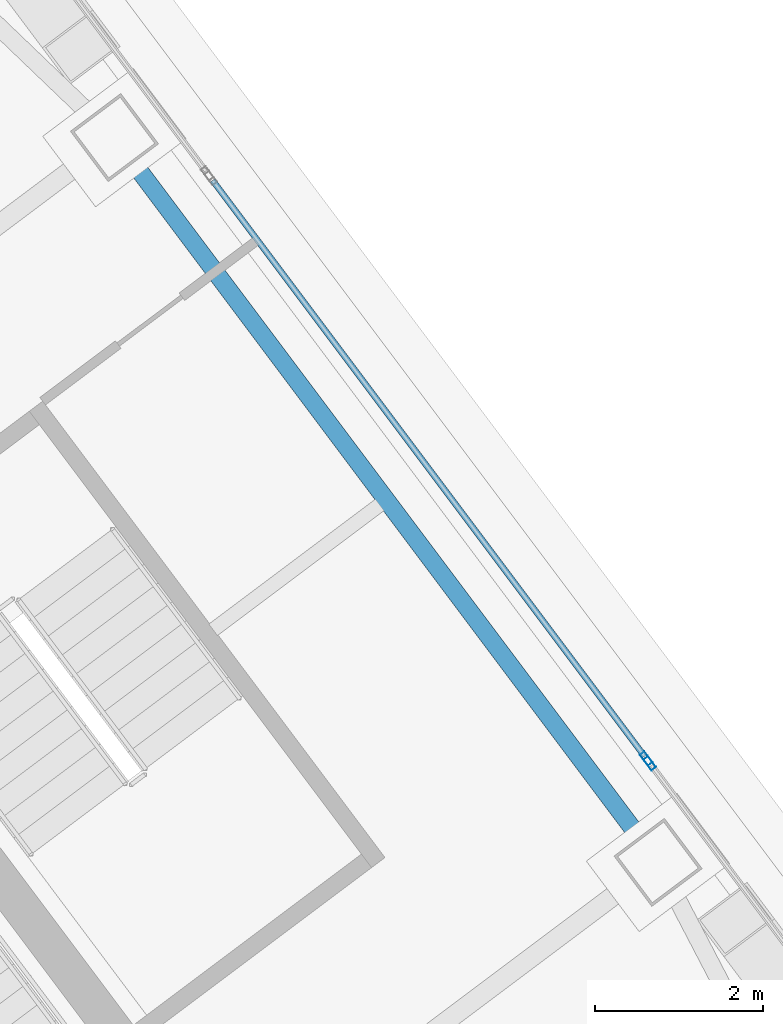
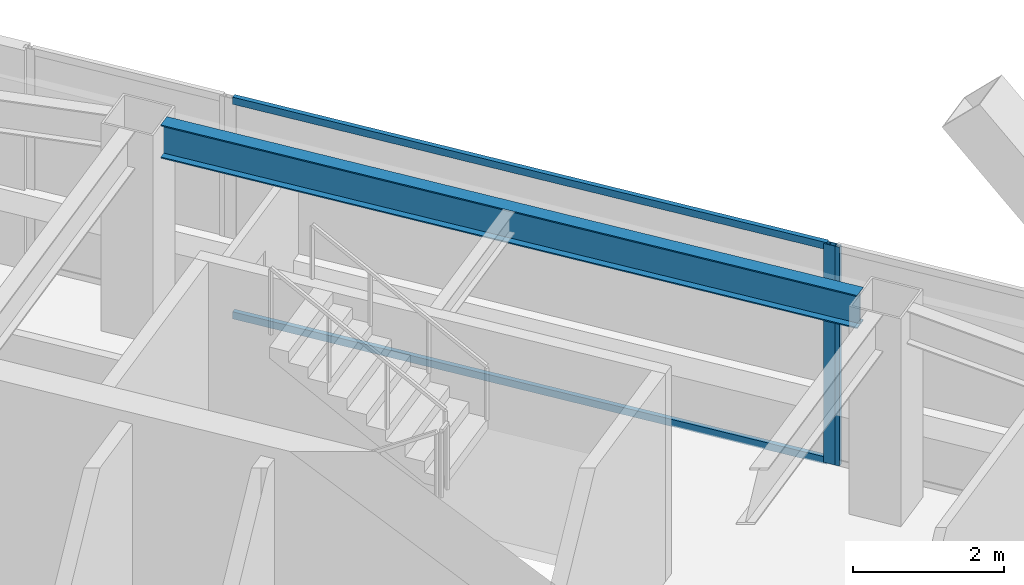
# One storey, part 25 of 39: 4 members, 1 beam, 2 elements without a shape of their own.
"""IFC4 building model written with IfcOpenShell, lengths in metres."""

from ifc_helpers import new_model, si_unit, direction, frame, origin, origin_2d, place, context, subcontext, project, spatial, hollow_rectangle, i_section, extrude, material, material_profile, profile_set, type_object, element, aggregate, save


model = new_model("IFC4")

# Units and contexts
model_context = context("Model", 3, precision=1e-05, world=origin(), true_north=direction((0.0, 1.0)))
body_context = subcontext(model_context, "Body", "Model", "MODEL_VIEW")
ifc_project = project(units=[si_unit("LENGTHUNIT", "METRE"), si_unit("AREAUNIT", "SQUARE_METRE"), si_unit("VOLUMEUNIT", "CUBIC_METRE"), si_unit("PLANEANGLEUNIT", "RADIAN"), si_unit("MASSUNIT", "GRAM", prefix="KILO")], contexts=[model_context])

# Site, building, storey
site_placement = place(None, origin())
site = spatial("IfcSite", under=ifc_project, at=site_placement, CompositionType="ELEMENT")
building_placement = place(site_placement, origin())
building = spatial("IfcBuilding", under=site, at=building_placement, Name="Tashvorn Skyway Center", CompositionType="ELEMENT")
storey_placement = place(building_placement, frame((0.0, 0.0, 232.60009765625)))
storey = spatial("IfcBuildingStorey", under=building, at=storey_placement, Name="L63", CompositionType="ELEMENT", Elevation=232.60009765625)

# Beam
ifc_material_1 = material(Name="Steel ASTM A992 Grade 50", Category="steel")
ifc_material_profile_1 = material_profile(ifc_material_1, i_section(OverallWidth=0.2109375, OverallDepth=0.5390625, WebThickness=0.01171875, FlangeThickness=0.018798828125, at=origin_2d()), Name="W21X73")
ifc_profile_set_1 = profile_set([ifc_material_profile_1], Name="Steel ASTM A992 Grade 50")
beam_type = type_object("IfcBeamType", Name="BM-SPANDREL-W21X73", PredefinedType="SPANDREL", material=ifc_profile_set_1)
beam_placement = place(storey_placement, frame((128.41796875, 36.52587890625, 3.100341796875), z_axis=(-0.599988351091, 0.800008736549, 0.0), x_axis=(-0.800008736549, -0.599988351091, 0.0)))
element("IfcBeam", 1, at=beam_placement, inside=storey, type_object=beam_type, Name="Tower 2 L63 Spandrel Beam 05", PredefinedType="SPANDREL", context=body_context, shape_type="SweptSolid", body=[
    extrude(i_section(OverallWidth=0.2109375, OverallDepth=0.5390625, WebThickness=0.01171875, FlangeThickness=0.018798828125, at=origin_2d()), origin(), (0.0, 0.0, 1.0), 10.06005859375),
])

# Curtain wall, member
ifc_material_2 = material(Name="Thermally broken bronze-anodized aluminium 6063-T6", Category="aluminium")
curtain_wall_type = type_object("IfcCurtainWallType", Name="CW-CW-Z5", PredefinedType="NOTDEFINED", material=ifc_material_2)
curtain_wall_1_placement = place(storey_placement, origin())
curtain_wall_1 = element("IfcCurtainWall", 2, at=curtain_wall_1_placement, inside=storey, type_object=curtain_wall_type, Name="Tower 2 L63 East Unitised Curtain Wall Glazing Group 2", PredefinedType="NOTDEFINED")
ifc_material_profile_2 = material_profile(ifc_material_2, hollow_rectangle(XDim=0.070068359375, YDim=0.1650390625, WallThickness=0.00390625, at=origin_2d()), Name="ALU-MULL-70x165")
ifc_profile_set_2 = profile_set([ifc_material_profile_2], Name="Thermally broken bronze-anodized aluminium 6063-T6")
member_type_1 = type_object("IfcMemberType", Name="CWM-CW-Z5", PredefinedType="MULLION", material=ifc_profile_set_2)
member_1_placement = place(storey_placement, frame((128.4990234375, 37.468017578125, 0.0), z_axis=(0.0, 0.0, 1.0), x_axis=(0.799999999998, 0.600000000002, 0.0)))
member_1 = element("IfcMember", 3, at=member_1_placement, type_object=member_type_1, Name="CW-Z5 mullion 2", PredefinedType="MULLION", context=body_context, shape_type="SweptSolid", body=[
    extrude(hollow_rectangle(XDim=0.070068359375, YDim=0.1650390625, WallThickness=0.00390625, at=origin_2d()), origin(), (0.0, 0.0, 1.0), 3.5498046875),
])

curtain_wall_2_placement = place(storey_placement, origin())
curtain_wall_2 = element("IfcCurtainWall", 4, at=curtain_wall_2_placement, inside=storey, type_object=curtain_wall_type, Name="Tower 2 L63 East Unitised Curtain Wall Glazing Group 3", PredefinedType="NOTDEFINED")
member_2_placement = place(storey_placement, frame((128.541015625, 37.412109375, 0.0), z_axis=(0.0, 0.0, 1.0), x_axis=(0.799995871508, 0.600005504617, 0.0)))
member_2 = element("IfcMember", 5, at=member_2_placement, type_object=member_type_1, Name="CW-Z5 mullion 1", PredefinedType="MULLION", context=body_context, shape_type="SweptSolid", body=[
    extrude(hollow_rectangle(XDim=0.070068359375, YDim=0.1650390625, WallThickness=0.00390625, at=origin_2d()), origin(), (0.0, 0.0, 1.0), 3.5498046875),
])
aggregate(curtain_wall_2, [member_2])

# Member
ifc_material_profile_3 = material_profile(ifc_material_2, hollow_rectangle(XDim=0.070068359375, YDim=0.114990234375, WallThickness=0.00390625, at=origin_2d()), Name="ALU-TRAN-70x115")
ifc_profile_set_3 = profile_set([ifc_material_profile_3], Name="Thermally broken bronze-anodized aluminium 6063-T6")
member_type_2 = type_object("IfcMemberType", Name="CWT-CW-Z5", PredefinedType="USERDEFINED", material=ifc_profile_set_3)
member_3_placement = place(storey_placement, frame((123.330078125, 44.360107421875, 0.034912109375), z_axis=(0.599995447241, -0.800003414549, 0.0), x_axis=(0.800003414549, 0.599995447241, 0.0)))
member_3 = element("IfcMember", 6, at=member_3_placement, type_object=member_type_2, Name="CW-Z5 transom 1.1", ObjectType="TRANSOM", PredefinedType="USERDEFINED", context=body_context, shape_type="SweptSolid", body=[
    extrude(hollow_rectangle(XDim=0.070068359375, YDim=0.114990234375, WallThickness=0.00390625, at=origin_2d()), origin(), (0.0, 0.0, 1.0), 8.580078125),
])

member_4_placement = place(storey_placement, frame((123.330078125, 44.360107421875, 3.514892578125), z_axis=(0.599995447241, -0.800003414549, 0.0), x_axis=(0.800003414549, 0.599995447241, 0.0)))
member_4 = element("IfcMember", 7, at=member_4_placement, type_object=member_type_2, Name="CW-Z5 transom 1.2", ObjectType="TRANSOM", PredefinedType="USERDEFINED", context=body_context, shape_type="SweptSolid", body=[
    extrude(hollow_rectangle(XDim=0.070068359375, YDim=0.114990234375, WallThickness=0.00390625, at=origin_2d()), origin(), (0.0, 0.0, 1.0), 8.580078125),
])

aggregate(curtain_wall_1, [member_1, member_3, member_4])

save(model, "model.ifc")
